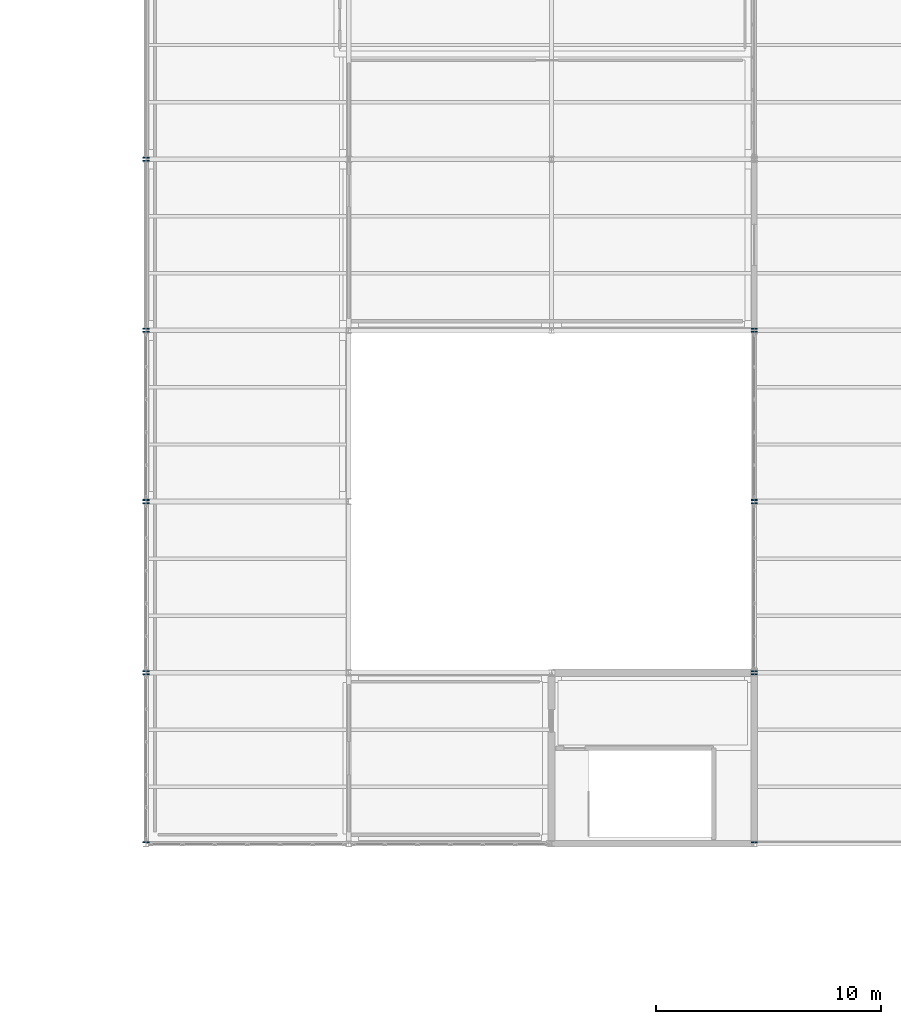
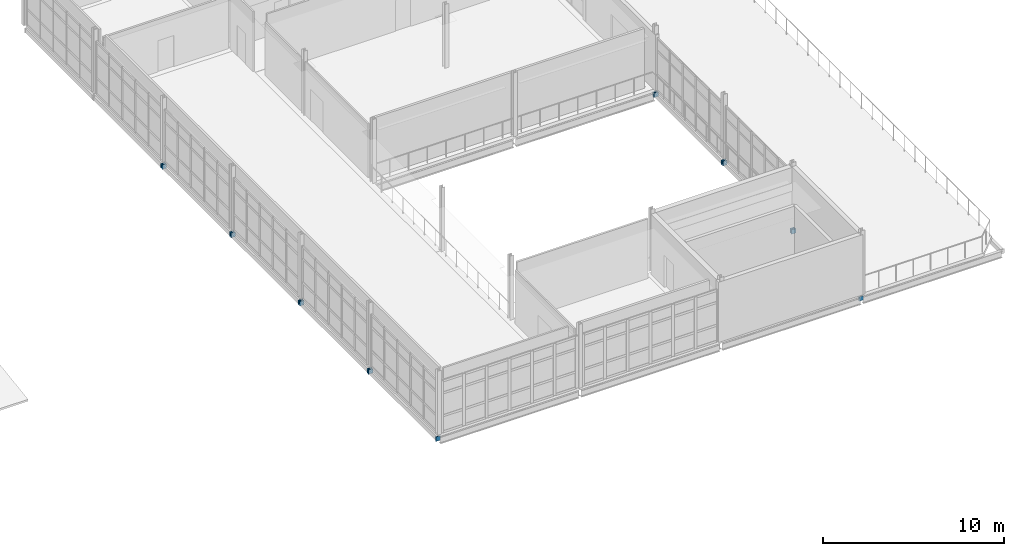
# One storey, part 38 of 48: 16 plates.
"""IFC4 building model written with IfcOpenShell, lengths in metres."""

from ifc_helpers import new_model, si_unit, direction, frame, origin, origin_2d, place, context, subcontext, project, spatial, rectangle, extrude, material, layer, layer_set, type_object, element, save


model = new_model("IFC4")

# Units and contexts
model_context = context("Model", 3, precision=1e-05, world=origin(), true_north=direction((0.0, 1.0)))
body_context = subcontext(model_context, "Body", "Model", "MODEL_VIEW")
ifc_project = project(units=[si_unit("LENGTHUNIT", "METRE"), si_unit("AREAUNIT", "SQUARE_METRE"), si_unit("VOLUMEUNIT", "CUBIC_METRE"), si_unit("PLANEANGLEUNIT", "RADIAN"), si_unit("MASSUNIT", "GRAM", prefix="KILO")], contexts=[model_context])

# Site, building, storey
site_placement = place(None, origin())
site = spatial("IfcSite", under=ifc_project, at=site_placement, CompositionType="ELEMENT")
building_placement = place(site_placement, origin())
building = spatial("IfcBuilding", under=site, at=building_placement, Name="Caisbarro Railhouse Central Library", CompositionType="ELEMENT")
storey_placement = place(building_placement, frame((0.0, 0.0, 18.0)))
storey = spatial("IfcBuildingStorey", under=building, at=storey_placement, Name="L04", CompositionType="ELEMENT", Elevation=18.0)

# Plates
ifc_material = material(Name="Steel ASTM A572 Grade 50", Category="steel")
ifc_layer = layer(ifc_material, 0.044921875, Name="Steel ASTM A572 Grade 50")
ifc_layer_set = layer_set([ifc_layer], Name="Steel ASTM A572 Grade 50")
plate_type = type_object("IfcPlateType", Name="PLT-EP01", PredefinedType="SHEET", material=ifc_layer_set)
for number, where, z_axis, x_axis, name in (
    (1, (117.0, 68.468017578125, -0.52001953125), (0.0, 0.0, 1.0), (0.0, 1.0, 0.0), "EP01 end cap plate"),
    (2, (117.0, 75.931884765625, -0.52001953125), (0.0, 0.0, 1.0), (0.0, 1.0, 0.0), "EP01 end cap plate"),
    (3, (117.0, 76.068115234375, -0.52001953125), (0.0, 0.0, 1.0), (0.0, 1.0, 0.0), "EP01 end cap plate"),
    (4, (117.0, 83.531982421875, -0.52001953125), (0.0, 0.0, 1.0), (0.0, 1.0, 0.0), "EP01 end cap plate"),
    (5, (117.0, 83.66796875, -0.52001953125), (0.0, 0.0, 1.0), (0.0, 1.0, 0.0), "EP01 end cap plate"),
    (6, (117.0, 91.132080078125, -0.52001953125), (0.0, 0.0, 1.0), (0.0, 1.0, 0.0), "EP01 end cap plate"),
    (7, (117.0, 91.26806640625, -0.52001953125), (0.0, 0.0, 1.0), (0.0, 1.0, 0.0), "EP01 end cap plate"),
    (8, (117.0, 98.73193359375, -0.52001953125), (0.0, 0.0, 1.0), (0.0, 1.0, 0.0), "EP01 end cap plate"),
    (9, (117.0, 98.867919921875, -0.52001953125), (0.0, 0.0, 1.0), (0.0, 1.0, 0.0), "EP01 end cap plate"),
    (10, (144.0, 68.468017578125, -0.52001953125), (0.0, 0.0, 1.0), (0.0, 1.0, 0.0), "EP01 end cap plate"),
    (11, (144.0, 75.931884765625, -0.52001953125), (0.0, 0.0, 1.0), (0.0, 1.0, 0.0), "EP01 end cap plate"),
    (12, (144.0, 76.068115234375, -0.52001953125), (0.0, 0.0, 1.0), (0.0, 1.0, 0.0), "EP01 end cap plate"),
    (13, (144.0, 83.531982421875, -0.52001953125), (0.0, 0.0, 1.0), (0.0, 1.0, 0.0), "EP01 end cap plate"),
    (14, (144.0, 83.66796875, -0.52001953125), (0.0, 0.0, 1.0), (0.0, 1.0, 0.0), "EP01 end cap plate"),
    (15, (144.0, 91.132080078125, -0.52001953125), (0.0, 0.0, 1.0), (0.0, 1.0, 0.0), "EP01 end cap plate"),
    (16, (144.0, 91.26806640625, -0.52001953125), (0.0, 0.0, 1.0), (0.0, 1.0, 0.0), "EP01 end cap plate"),
):
    element("IfcPlate", number, at=place(storey_placement, frame(where, z_axis=z_axis, x_axis=x_axis)), inside=storey, type_object=plate_type, Name=name, PredefinedType="SHEET", context=body_context, shape_type="SweptSolid", body=[
        extrude(rectangle(XDim=0.044921875, YDim=0.280029296875, at=origin_2d()), origin(), (0.0, 0.0, 1.0), 0.300048828125),
    ])

save(model, "model.ifc")
